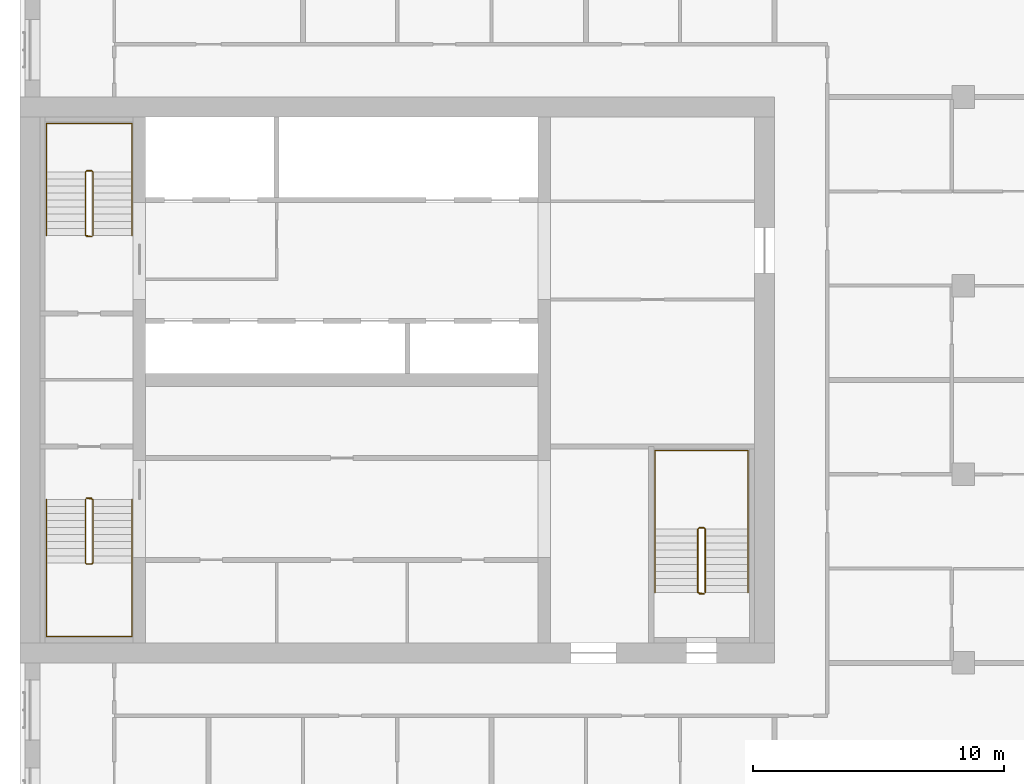
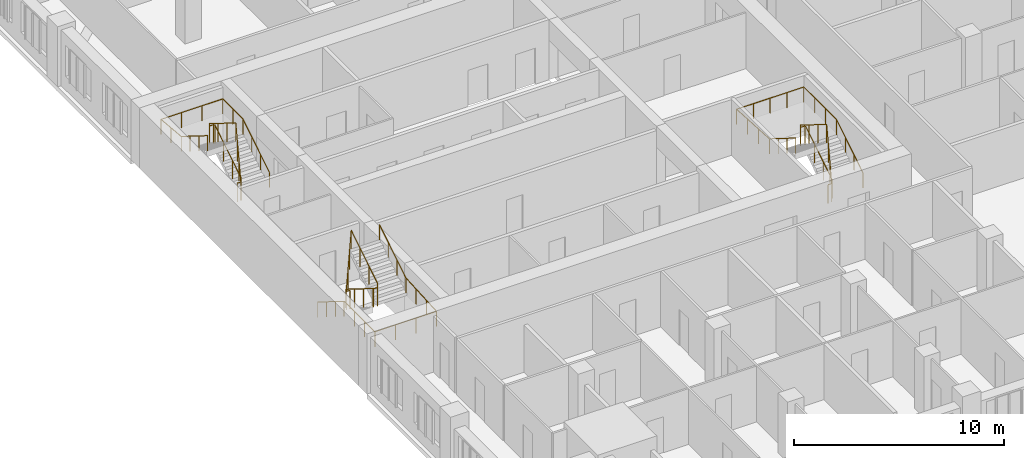
# One storey, part 14 of 14: 6 railings.
"""IFC4 building model written with IfcOpenShell, lengths in metres."""

import ifcopenshell
import ifcopenshell.guid

model = None  # the IFC model being written
_history = None  # IfcOwnerHistory: only IFC2X3 demands one
_inside = {}  # id of a spatial element -> (the spatial element, [elements in it])
_under = {}  # id of a project, library or spatial element -> (it, [spatial elements below it])
_declared = {}  # id of a project -> (the project, [libraries it declares])
_typed = {}  # id of a type object -> (the type object, [elements of that type])
_made_of = {}  # id of a material, layer set ... -> (it, [elements and type objects made of it])


def new_model(schema):
    """Start an empty IFC model of exactly this schema.

    Asked for "IFC4X3", IfcOpenShell would pick the latest addendum, in which some entities
    have other attributes; the version numbers below select the first issue.
    IFC2X3 requires an IfcOwnerHistory on every rooted entity: one is made here for all.
    """
    global model, _history
    if schema == "IFC4X3":
        model = ifcopenshell.file(schema_version=(4, 3, 0, 0))
    else:
        model = ifcopenshell.file(schema=schema)
    _inside.clear()
    _under.clear()
    _declared.clear()
    _typed.clear()
    _made_of.clear()
    _history = None
    if model.schema == "IFC2X3":
        org = make("IfcOrganization", Name="unknown")
        user = make(
            "IfcPersonAndOrganization",
            ThePerson=make("IfcPerson", FamilyName="unknown"),
            TheOrganization=org,
        )
        app = make(
            "IfcApplication",
            ApplicationDeveloper=org,
            Version="unknown",
            ApplicationFullName="unknown",
            ApplicationIdentifier="unknown",
        )
        _history = make(
            "IfcOwnerHistory",
            OwningUser=user,
            OwningApplication=app,
            ChangeAction="ADDED",
            CreationDate=0,
        )
    return model


def make(cls, **values):
    """One entity of the class cls with the attributes given. An attribute that is None is left unset."""
    return model.create_entity(
        cls, **{name: value for name, value in values.items() if value is not None}
    )


def rooted(cls, **values):
    """An entity with a GlobalId (a new one), such as an element, a storey or a relation."""
    return make(cls, GlobalId=ifcopenshell.guid.new(), OwnerHistory=_history, **values)


def si_unit(unit_type, name, prefix=None):
    """IfcSIUnit, for example si_unit("LENGTHUNIT", "METRE", prefix="MILLI")."""
    return make("IfcSIUnit", UnitType=unit_type, Prefix=prefix, Name=name)


def assignment(units):
    """IfcUnitAssignment: the units of a project."""
    return None if units is None else make("IfcUnitAssignment", Units=units)


def point(xyz):
    """IfcCartesianPoint."""
    return None if xyz is None else make("IfcCartesianPoint", Coordinates=xyz)


def direction(xyz):
    """IfcDirection."""
    return None if xyz is None else make("IfcDirection", DirectionRatios=xyz)


def frame(location, z_axis=None, x_axis=None):
    """IfcAxis2Placement3D, a coordinate frame: its origin and axes. An axis left out is left unset."""
    return make(
        "IfcAxis2Placement3D",
        Location=point(location),
        Axis=direction(z_axis),
        RefDirection=direction(x_axis),
    )


def frame_2d(location, x_axis=None):
    """IfcAxis2Placement2D, a coordinate frame in the plane: its origin and x axis."""
    return make(
        "IfcAxis2Placement2D", Location=point(location), RefDirection=direction(x_axis)
    )


def origin():
    """The frame at (0, 0, 0) with its axes left unset."""
    return frame((0.0, 0.0, 0.0))


def origin_2d():
    """The frame at (0, 0) in the plane with its x axis left unset."""
    return frame_2d((0.0, 0.0))


def place(relative_to, where):
    """IfcLocalPlacement: puts the frame where relative to a parent placement (None: the world)."""
    return make(
        "IfcLocalPlacement", PlacementRelTo=relative_to, RelativePlacement=where
    )


def context(
    kind, dimensions, precision=None, world=None, true_north=None, identifier=None
):
    """IfcGeometricRepresentationContext, for example the 3D "Model" context."""
    return make(
        "IfcGeometricRepresentationContext",
        ContextIdentifier=identifier,
        ContextType=kind,
        CoordinateSpaceDimension=dimensions,
        Precision=precision,
        WorldCoordinateSystem=world,
        TrueNorth=true_north,
    )


def subcontext(parent, identifier, kind, view, scale=None):
    """IfcGeometricRepresentationSubContext, for example "Body" below "Model"."""
    return make(
        "IfcGeometricRepresentationSubContext",
        ContextIdentifier=identifier,
        ContextType=kind,
        ParentContext=parent,
        TargetScale=scale,
        TargetView=view,
    )


def project(units=None, contexts=None):
    """IfcProject with its units and contexts."""
    return rooted(
        "IfcProject",
        Name="project",
        RepresentationContexts=contexts,
        UnitsInContext=assignment(units),
    )


def spatial(cls, under=None, at=None, **own):
    """A site, building, storey or space (cls), placed at a placement, below another one or the project."""
    s = rooted(cls, ObjectPlacement=at, **own)
    if under is not None:
        _under.setdefault(under.id(), (under, []))[1].append(s)
    return s


def profile(cls, at=None, kind="AREA", **sizes):
    """A parametric profile (cls). Its sizes go by their IFC names, for example OverallWidth=200.0."""
    return make(cls, ProfileType=kind, Position=at, **sizes)


def circle(**sizes):
    """IfcCircleProfileDef."""
    return profile("IfcCircleProfileDef", **sizes)


def extrude(swept, where, along, depth):
    """IfcExtrudedAreaSolid: the profile swept, set in the frame where, extruded along a direction by depth."""
    return make(
        "IfcExtrudedAreaSolid",
        SweptArea=swept,
        Position=where,
        ExtrudedDirection=direction(along),
        Depth=depth,
    )


def shape(context_of_items, identifier, shape_type, items):
    """IfcShapeRepresentation: the items that make up one representation, for example the "Body"."""
    return make(
        "IfcShapeRepresentation",
        ContextOfItems=context_of_items,
        RepresentationIdentifier=identifier,
        RepresentationType=shape_type,
        Items=items,
    )


def material(Name=None, Category=None):
    """IfcMaterial."""
    return make("IfcMaterial", Name=Name, Category=Category)


def made_of(thing, what):
    """Note that an element or type object is made of a material, layer set ...; save() writes the relation."""
    if what is not None:
        _made_of.setdefault(what.id(), (what, []))[1].append(thing)
    return thing


def type_object(cls, material=None, **own):
    """A type object (cls), such as IfcWallType, which elements share."""
    return made_of(rooted(cls, **own), material)


def element(
    cls,
    number,
    at=None,
    inside=None,
    cuts=None,
    type_object=None,
    material=None,
    context=None,
    identifier="Body",
    shape_type=None,
    held_by="IfcProductDefinitionShape",
    body=None,
    shapes=None,
    **own,
):
    """One element of the class cls, such as IfcWall. Its Tag is "e" and its number.

    at: its placement. inside: the storey or other place that contains it. cuts: it is an
    opening in that element (IfcRelVoidsElement). A single representation is given by context,
    identifier, shape_type and body (its items); several are given by shapes. held_by: the class
    of the entity that holds the representations. save() writes the other relations.
    """
    e = rooted(cls, Tag="e%d" % number, ObjectPlacement=at, **own)
    if body is not None:
        shapes = [shape(context, identifier, shape_type, body)]
    if shapes is not None:
        e.Representation = make(held_by, Representations=shapes)
    if inside is not None:
        _inside.setdefault(inside.id(), (inside, []))[1].append(e)
    if cuts is not None:
        rooted(
            "IfcRelVoidsElement", RelatingBuildingElement=cuts, RelatedOpeningElement=e
        )
    if type_object is not None:
        _typed.setdefault(type_object.id(), (type_object, []))[1].append(e)
    return made_of(e, material)


def aggregate(whole, parts):
    """IfcRelAggregates: a whole, such as a stair, and the parts it consists of."""
    return rooted("IfcRelAggregates", RelatingObject=whole, RelatedObjects=parts)


def save(model, path):
    """Write the relations noted so far, then the file.

    IfcRelAggregates (storeys below a building ...), IfcRelContainedInSpatialStructure (elements
    in a storey), IfcRelDefinesByType, IfcRelAssociatesMaterial and IfcRelDeclares: one each for
    every whole, place, type object, material and project.
    """
    for whole, parts in _under.values():
        aggregate(whole, parts)
    for where, things in _inside.values():
        rooted(
            "IfcRelContainedInSpatialStructure",
            RelatedElements=things,
            RelatingStructure=where,
        )
    for kind, things in _typed.values():
        rooted("IfcRelDefinesByType", RelatedObjects=things, RelatingType=kind)
    for what, things in _made_of.values():
        rooted("IfcRelAssociatesMaterial", RelatedObjects=things, RelatingMaterial=what)
    for by, libraries in _declared.values():
        rooted("IfcRelDeclares", RelatingContext=by, RelatedDefinitions=libraries)
    model.write(path)


model = new_model("IFC4")

# Units and contexts
model_context = context("Model", 3, precision=1e-05, world=origin(), true_north=direction((0.0, 1.0)))
body_context = subcontext(model_context, "Body", "Model", "MODEL_VIEW")
ifc_project = project(units=[si_unit("LENGTHUNIT", "METRE"), si_unit("AREAUNIT", "SQUARE_METRE"), si_unit("VOLUMEUNIT", "CUBIC_METRE"), si_unit("PLANEANGLEUNIT", "RADIAN"), si_unit("MASSUNIT", "GRAM", prefix="KILO")], contexts=[model_context])

# Site, building, storey
site_placement = place(None, origin())
site = spatial("IfcSite", under=ifc_project, at=site_placement, CompositionType="ELEMENT")
building_placement = place(site_placement, origin())
building = spatial("IfcBuilding", under=site, at=building_placement, Name="Tamorin Gate", CompositionType="ELEMENT")
storey_placement = place(building_placement, frame((0.0, 0.0, 193.199951171875)))
storey = spatial("IfcBuildingStorey", under=building, at=storey_placement, Name="L47", CompositionType="ELEMENT", Elevation=193.199951171875)

# Railings
ifc_material_1 = material(Name="Painted steel balustrade", Category="steel")
railing_type_1 = type_object("IfcRailingType", Name="Stair guard 1100", PredefinedType="GUARDRAIL", material=ifc_material_1)
railing_1_placement = place(storey_placement, frame((32.60009765625, 66.5, 0.175048828125)))
element("IfcRailing", 1, at=railing_1_placement, inside=storey, type_object=railing_type_1, Name="L47 ST1 stair guard 1", PredefinedType="GUARDRAIL", context=body_context, shape_type="SweptSolid", body=[
    extrude(circle(Radius=0.02392578125, at=origin_2d()), frame((0.0, 0.0, 1.076171875), z_axis=(0.0, -0.848007534815, 0.529984170421), x_axis=(1.0, 0.0, 0.0)), (0.0, 0.0, 1.0), 2.9716796875),
    extrude(circle(Radius=0.02392578125, at=origin_2d()), frame((0.0, -2.52001953125, 2.65087890625), z_axis=(0.705375805398, -0.708833529934, 0.0), x_axis=(0.708833529934, 0.705375805398, 0.0)), (0.0, 0.0, 1.0), 0.070556640625),
    extrude(circle(Radius=0.02392578125, at=origin_2d()), frame((0.0498046875, -2.570068359375, 2.65087890625), z_axis=(1.0, 0.0, 0.0), x_axis=(0.0, 1.0, 0.0)), (0.0, 0.0, 1.0), 0.2001953125),
    extrude(circle(Radius=0.02392578125, at=origin_2d()), frame((0.25, -2.570068359375, 2.65087890625), z_axis=(0.263862480399, 0.265155923931, 0.927399011991), x_axis=(-0.708833529934, 0.705375805398, 0.0)), (0.0, 0.0, 1.0), 0.188720703125),
    extrude(circle(Radius=0.02392578125, at=origin_2d()), frame((0.2998046875, -2.52001953125, 2.826171875), z_axis=(0.0, 0.848007534815, 0.529984170421), x_axis=(-1.0, 0.0, 0.0)), (0.0, 0.0, 1.0), 2.9716796875),
    extrude(circle(Radius=0.02392578125, at=origin_2d()), frame((0.2998046875, 0.0, 4.40087890625), z_axis=(-0.071239803756, 0.014261874775, -0.997357252587), x_axis=(-0.196300278283, -0.98054382908, 0.0)), (0.0, 0.0, 1.0), 3.50927734375),
    extrude(circle(Radius=0.02392578125, at=origin_2d()), frame((0.0498046875, 0.050048828125, 0.90087890625), z_axis=(1.0, 0.0, 0.0), x_axis=(0.0, 1.0, 0.0)), (0.0, 0.0, 1.0), 0.2001953125),
    extrude(circle(Radius=0.02099609375, at=origin_2d()), origin(), (0.0, 0.0, 1.0), 1.052001953125),
    extrude(circle(Radius=0.02099609375, at=origin_2d()), frame((0.0, -0.840087890625, 0.52490234375)), (0.0, 0.0, 1.0), 1.052001953125),
    extrude(circle(Radius=0.02099609375, at=origin_2d()), frame((0.0, -1.679931640625, 1.050048828125)), (0.0, 0.0, 1.0), 1.052001953125),
    extrude(circle(Radius=0.02099609375, at=origin_2d()), frame((0.0, -2.52001953125, 1.574951171875)), (0.0, 0.0, 1.0), 1.052001953125),
    extrude(circle(Radius=0.02099609375, at=origin_2d()), frame((0.0498046875, -2.570068359375, 1.574951171875)), (0.0, 0.0, 1.0), 1.052001953125),
    extrude(circle(Radius=0.02099609375, at=origin_2d()), frame((0.25, -2.570068359375, 1.574951171875)), (0.0, 0.0, 1.0), 1.052001953125),
    extrude(circle(Radius=0.02099609375, at=origin_2d()), frame((0.2998046875, -2.52001953125, 1.75)), (0.0, 0.0, 1.0), 1.052001953125),
    extrude(circle(Radius=0.02099609375, at=origin_2d()), frame((0.2998046875, -1.679931640625, 2.27490234375)), (0.0, 0.0, 1.0), 1.052001953125),
    extrude(circle(Radius=0.02099609375, at=origin_2d()), frame((0.2998046875, -0.840087890625, 2.800048828125)), (0.0, 0.0, 1.0), 1.052001953125),
    extrude(circle(Radius=0.02099609375, at=origin_2d()), frame((0.2998046875, 0.0, 3.324951171875)), (0.0, 0.0, 1.0), 1.052001953125),
    extrude(circle(Radius=0.02099609375, at=origin_2d()), frame((0.216552734375, 0.0166015625, 2.158203125)), (0.0, 0.0, 1.0), 1.052001953125),
    extrude(circle(Radius=0.02099609375, at=origin_2d()), frame((0.133056640625, 0.033447265625, 0.99169921875)), (0.0, 0.0, 1.0), 1.052001953125),
    extrude(circle(Radius=0.02099609375, at=origin_2d()), frame((0.0498046875, 0.050048828125, -0.175048828125)), (0.0, 0.0, 1.0), 1.052001953125),
    extrude(circle(Radius=0.02099609375, at=origin_2d()), frame((0.25, 0.050048828125, -0.175048828125)), (0.0, 0.0, 1.0), 1.052001953125),
])
railing_2_placement = place(storey_placement, frame((32.89990234375, 77.0, 0.175048828125)))
element("IfcRailing", 2, at=railing_2_placement, inside=storey, type_object=railing_type_1, Name="L47 ST2 stair guard 1", PredefinedType="GUARDRAIL", context=body_context, shape_type="SweptSolid", body=[
    extrude(circle(Radius=0.02392578125, at=origin_2d()), frame((0.0, 0.0, 1.076171875), z_axis=(0.0, 0.848007534815, 0.529984170421), x_axis=(-1.0, 0.0, 0.0)), (0.0, 0.0, 1.0), 2.9716796875),
    extrude(circle(Radius=0.02392578125, at=origin_2d()), frame((0.0, 2.52001953125, 2.65087890625), z_axis=(-0.705375805398, 0.708833529934, 0.0), x_axis=(-0.708833529934, -0.705375805398, 0.0)), (0.0, 0.0, 1.0), 0.070556640625),
    extrude(circle(Radius=0.02392578125, at=origin_2d()), frame((-0.0498046875, 2.570068359375, 2.65087890625), z_axis=(-1.0, 0.0, 0.0), x_axis=(0.0, -1.0, 0.0)), (0.0, 0.0, 1.0), 0.2001953125),
    extrude(circle(Radius=0.02392578125, at=origin_2d()), frame((-0.25, 2.570068359375, 2.65087890625), z_axis=(-0.263862480399, -0.265155923931, 0.927399011991), x_axis=(0.708833529934, -0.705375805398, 0.0)), (0.0, 0.0, 1.0), 0.188720703125),
    extrude(circle(Radius=0.02392578125, at=origin_2d()), frame((-0.2998046875, 2.52001953125, 2.826171875), z_axis=(0.0, -0.848007534815, 0.529984170421), x_axis=(1.0, 0.0, 0.0)), (0.0, 0.0, 1.0), 2.9716796875),
    extrude(circle(Radius=0.02392578125, at=origin_2d()), frame((-0.2998046875, 0.0, 4.40087890625), z_axis=(0.071239803756, -0.014261874775, -0.997357252587), x_axis=(0.196300278283, 0.98054382908, 0.0)), (0.0, 0.0, 1.0), 3.50927734375),
    extrude(circle(Radius=0.02392578125, at=origin_2d()), frame((-0.0498046875, -0.050048828125, 0.90087890625), z_axis=(-1.0, 0.0, 0.0), x_axis=(0.0, -1.0, 0.0)), (0.0, 0.0, 1.0), 0.2001953125),
    extrude(circle(Radius=0.02099609375, at=origin_2d()), origin(), (0.0, 0.0, 1.0), 1.052001953125),
    extrude(circle(Radius=0.02099609375, at=origin_2d()), frame((0.0, 0.840087890625, 0.52490234375)), (0.0, 0.0, 1.0), 1.052001953125),
    extrude(circle(Radius=0.02099609375, at=origin_2d()), frame((0.0, 1.679931640625, 1.050048828125)), (0.0, 0.0, 1.0), 1.052001953125),
    extrude(circle(Radius=0.02099609375, at=origin_2d()), frame((0.0, 2.52001953125, 1.574951171875)), (0.0, 0.0, 1.0), 1.052001953125),
    extrude(circle(Radius=0.02099609375, at=origin_2d()), frame((-0.0498046875, 2.570068359375, 1.574951171875)), (0.0, 0.0, 1.0), 1.052001953125),
    extrude(circle(Radius=0.02099609375, at=origin_2d()), frame((-0.25, 2.570068359375, 1.574951171875)), (0.0, 0.0, 1.0), 1.052001953125),
    extrude(circle(Radius=0.02099609375, at=origin_2d()), frame((-0.2998046875, 2.52001953125, 1.75)), (0.0, 0.0, 1.0), 1.052001953125),
    extrude(circle(Radius=0.02099609375, at=origin_2d()), frame((-0.2998046875, 1.679931640625, 2.27490234375)), (0.0, 0.0, 1.0), 1.052001953125),
    extrude(circle(Radius=0.02099609375, at=origin_2d()), frame((-0.2998046875, 0.840087890625, 2.800048828125)), (0.0, 0.0, 1.0), 1.052001953125),
    extrude(circle(Radius=0.02099609375, at=origin_2d()), frame((-0.2998046875, 0.0, 3.324951171875)), (0.0, 0.0, 1.0), 1.052001953125),
    extrude(circle(Radius=0.02099609375, at=origin_2d()), frame((-0.216552734375, -0.0166015625, 2.158203125)), (0.0, 0.0, 1.0), 1.052001953125),
    extrude(circle(Radius=0.02099609375, at=origin_2d()), frame((-0.133056640625, -0.033447265625, 0.99169921875)), (0.0, 0.0, 1.0), 1.052001953125),
    extrude(circle(Radius=0.02099609375, at=origin_2d()), frame((-0.0498046875, -0.050048828125, -0.175048828125)), (0.0, 0.0, 1.0), 1.052001953125),
    extrude(circle(Radius=0.02099609375, at=origin_2d()), frame((-0.25, -0.050048828125, -0.175048828125)), (0.0, 0.0, 1.0), 1.052001953125),
])
railing_3_placement = place(storey_placement, frame((57.25, 62.800048828125, 0.175048828125)))
element("IfcRailing", 3, at=railing_3_placement, inside=storey, type_object=railing_type_1, Name="L47 ST3 stair guard 1", PredefinedType="GUARDRAIL", context=body_context, shape_type="SweptSolid", body=[
    extrude(circle(Radius=0.02392578125, at=origin_2d()), frame((0.0, 0.0, 1.076171875), z_axis=(0.0, 0.848007534815, 0.529984170421), x_axis=(-1.0, 0.0, 0.0)), (0.0, 0.0, 1.0), 2.9716796875),
    extrude(circle(Radius=0.02392578125, at=origin_2d()), frame((0.0, 2.52001953125, 2.65087890625), z_axis=(-0.707106781187, 0.707106781187, 0.0), x_axis=(-0.707106781187, -0.707106781187, 0.0)), (0.0, 0.0, 1.0), 0.07080078125),
    extrude(circle(Radius=0.02392578125, at=origin_2d()), frame((-0.050048828125, 2.570068359375, 2.65087890625), z_axis=(-1.0, 0.0, 0.0), x_axis=(0.0, -1.0, 0.0)), (0.0, 0.0, 1.0), 0.199951171875),
    extrude(circle(Radius=0.02392578125, at=origin_2d()), frame((-0.25, 2.570068359375, 2.65087890625), z_axis=(-0.265065253269, -0.265065253269, 0.927081885822), x_axis=(0.707106781187, -0.707106781187, 0.0)), (0.0, 0.0, 1.0), 0.188720703125),
    extrude(circle(Radius=0.02392578125, at=origin_2d()), frame((-0.300048828125, 2.52001953125, 2.826171875), z_axis=(0.0, -0.848007534815, 0.529984170421), x_axis=(1.0, 0.0, 0.0)), (0.0, 0.0, 1.0), 2.9716796875),
    extrude(circle(Radius=0.02392578125, at=origin_2d()), frame((-0.300048828125, 0.0, 4.40087890625), z_axis=(0.071239803756, -0.014261874775, -0.997357252587), x_axis=(0.196300278283, 0.98054382908, 0.0)), (0.0, 0.0, 1.0), 3.50927734375),
    extrude(circle(Radius=0.02392578125, at=origin_2d()), frame((-0.050048828125, -0.050048828125, 0.90087890625), z_axis=(-1.0, 0.0, 0.0), x_axis=(0.0, -1.0, 0.0)), (0.0, 0.0, 1.0), 0.199951171875),
    extrude(circle(Radius=0.02099609375, at=origin_2d()), origin(), (0.0, 0.0, 1.0), 1.052001953125),
    extrude(circle(Radius=0.02099609375, at=origin_2d()), frame((0.0, 0.840087890625, 0.52490234375)), (0.0, 0.0, 1.0), 1.052001953125),
    extrude(circle(Radius=0.02099609375, at=origin_2d()), frame((0.0, 1.679931640625, 1.050048828125)), (0.0, 0.0, 1.0), 1.052001953125),
    extrude(circle(Radius=0.02099609375, at=origin_2d()), frame((0.0, 2.52001953125, 1.574951171875)), (0.0, 0.0, 1.0), 1.052001953125),
    extrude(circle(Radius=0.02099609375, at=origin_2d()), frame((-0.050048828125, 2.570068359375, 1.574951171875)), (0.0, 0.0, 1.0), 1.052001953125),
    extrude(circle(Radius=0.02099609375, at=origin_2d()), frame((-0.25, 2.570068359375, 1.574951171875)), (0.0, 0.0, 1.0), 1.052001953125),
    extrude(circle(Radius=0.02099609375, at=origin_2d()), frame((-0.300048828125, 2.52001953125, 1.75)), (0.0, 0.0, 1.0), 1.052001953125),
    extrude(circle(Radius=0.02099609375, at=origin_2d()), frame((-0.300048828125, 1.679931640625, 2.27490234375)), (0.0, 0.0, 1.0), 1.052001953125),
    extrude(circle(Radius=0.02099609375, at=origin_2d()), frame((-0.300048828125, 0.840087890625, 2.800048828125)), (0.0, 0.0, 1.0), 1.052001953125),
    extrude(circle(Radius=0.02099609375, at=origin_2d()), frame((-0.300048828125, 0.0, 3.324951171875)), (0.0, 0.0, 1.0), 1.052001953125),
    extrude(circle(Radius=0.02099609375, at=origin_2d()), frame((-0.216796875, -0.0166015625, 2.158203125)), (0.0, 0.0, 1.0), 1.052001953125),
    extrude(circle(Radius=0.02099609375, at=origin_2d()), frame((-0.13330078125, -0.033447265625, 0.99169921875)), (0.0, 0.0, 1.0), 1.052001953125),
    extrude(circle(Radius=0.02099609375, at=origin_2d()), frame((-0.050048828125, -0.050048828125, -0.175048828125)), (0.0, 0.0, 1.0), 1.052001953125),
    extrude(circle(Radius=0.02099609375, at=origin_2d()), frame((-0.25, -0.050048828125, -0.175048828125)), (0.0, 0.0, 1.0), 1.052001953125),
])
ifc_material_2 = material(Name="Painted steel handrail", Category="steel")
railing_type_2 = type_object("IfcRailingType", Name="Stair handrail 900", PredefinedType="HANDRAIL", material=ifc_material_2)
railing_4_placement = place(storey_placement, frame((31.050048828125, 66.5, 0.175048828125)))
element("IfcRailing", 4, at=railing_4_placement, inside=storey, type_object=railing_type_2, Name="L47 ST1 stair handrail 1", PredefinedType="HANDRAIL", context=body_context, shape_type="SweptSolid", body=[
    extrude(circle(Radius=0.02392578125, at=origin_2d()), frame((0.0, 0.0, 0.8759765625), z_axis=(0.0, -0.848007534815, 0.529984170421), x_axis=(1.0, 0.0, 0.0)), (0.0, 0.0, 1.0), 2.9716796875),
    extrude(circle(Radius=0.02392578125, at=origin_2d()), frame((0.0, -2.52001953125, 2.45068359375), z_axis=(0.0, -1.0, 0.0), x_axis=(1.0, 0.0, 0.0)), (0.0, 0.0, 1.0), 2.929931640625),
    extrude(circle(Radius=0.02392578125, at=origin_2d()), frame((0.0, -5.449951171875, 2.45068359375), z_axis=(1.0, 0.0, 0.0), x_axis=(0.0, 1.0, 0.0)), (0.0, 0.0, 1.0), 3.39990234375),
    extrude(circle(Radius=0.02392578125, at=origin_2d()), frame((3.39990234375, -5.449951171875, 2.45068359375), z_axis=(0.0, 0.998220029962, 0.0596386769), x_axis=(-1.0, 0.0, 0.0)), (0.0, 0.0, 1.0), 2.93505859375),
    extrude(circle(Radius=0.02392578125, at=origin_2d()), frame((3.39990234375, -2.52001953125, 2.6259765625), z_axis=(0.0, 0.848007534815, 0.529984170421), x_axis=(-1.0, 0.0, 0.0)), (0.0, 0.0, 1.0), 2.9716796875),
    extrude(circle(Radius=0.02099609375, at=origin_2d()), origin(), (0.0, 0.0, 1.0), 0.851806640625),
    extrude(circle(Radius=0.02099609375, at=origin_2d()), frame((0.0, -0.840087890625, 0.52490234375)), (0.0, 0.0, 1.0), 0.851806640625),
    extrude(circle(Radius=0.02099609375, at=origin_2d()), frame((0.0, -1.679931640625, 1.050048828125)), (0.0, 0.0, 1.0), 0.851806640625),
    extrude(circle(Radius=0.02099609375, at=origin_2d()), frame((0.0, -2.52001953125, 1.574951171875)), (0.0, 0.0, 1.0), 0.851806640625),
    extrude(circle(Radius=0.02099609375, at=origin_2d()), frame((0.0, -3.49658203125, 1.574951171875)), (0.0, 0.0, 1.0), 0.851806640625),
    extrude(circle(Radius=0.02099609375, at=origin_2d()), frame((0.0, -4.473388671875, 1.574951171875)), (0.0, 0.0, 1.0), 0.851806640625),
    extrude(circle(Radius=0.02099609375, at=origin_2d()), frame((0.0, -5.449951171875, 1.574951171875)), (0.0, 0.0, 1.0), 0.851806640625),
    extrude(circle(Radius=0.02099609375, at=origin_2d()), frame((1.13330078125, -5.449951171875, 1.574951171875)), (0.0, 0.0, 1.0), 0.851806640625),
    extrude(circle(Radius=0.02099609375, at=origin_2d()), frame((2.2666015625, -5.449951171875, 1.574951171875)), (0.0, 0.0, 1.0), 0.851806640625),
    extrude(circle(Radius=0.02099609375, at=origin_2d()), frame((3.39990234375, -5.449951171875, 1.574951171875)), (0.0, 0.0, 1.0), 0.851806640625),
    extrude(circle(Radius=0.02099609375, at=origin_2d()), frame((3.39990234375, -4.473388671875, 1.63330078125)), (0.0, 0.0, 1.0), 0.851806640625),
    extrude(circle(Radius=0.02099609375, at=origin_2d()), frame((3.39990234375, -3.49658203125, 1.691650390625)), (0.0, 0.0, 1.0), 0.851806640625),
    extrude(circle(Radius=0.02099609375, at=origin_2d()), frame((3.39990234375, -2.52001953125, 1.75)), (0.0, 0.0, 1.0), 0.851806640625),
    extrude(circle(Radius=0.02099609375, at=origin_2d()), frame((3.39990234375, -1.679931640625, 2.27490234375)), (0.0, 0.0, 1.0), 0.851806640625),
    extrude(circle(Radius=0.02099609375, at=origin_2d()), frame((3.39990234375, -0.840087890625, 2.800048828125)), (0.0, 0.0, 1.0), 0.851806640625),
    extrude(circle(Radius=0.02099609375, at=origin_2d()), frame((3.39990234375, 0.0, 3.324951171875)), (0.0, 0.0, 1.0), 0.851806640625),
])
railing_5_placement = place(storey_placement, frame((34.449951171875, 77.0, 0.175048828125)))
element("IfcRailing", 5, at=railing_5_placement, inside=storey, type_object=railing_type_2, Name="L47 ST2 stair handrail 1", PredefinedType="HANDRAIL", context=body_context, shape_type="SweptSolid", body=[
    extrude(circle(Radius=0.02392578125, at=origin_2d()), frame((0.0, 0.0, 0.8759765625), z_axis=(0.0, 0.848007534815, 0.529984170421), x_axis=(-1.0, 0.0, 0.0)), (0.0, 0.0, 1.0), 2.9716796875),
    extrude(circle(Radius=0.02392578125, at=origin_2d()), frame((0.0, 2.52001953125, 2.45068359375), z_axis=(0.0, 1.0, 0.0), x_axis=(-1.0, 0.0, 0.0)), (0.0, 0.0, 1.0), 1.929931640625),
    extrude(circle(Radius=0.02392578125, at=origin_2d()), frame((0.0, 4.449951171875, 2.45068359375), z_axis=(-1.0, 0.0, 0.0), x_axis=(0.0, -1.0, 0.0)), (0.0, 0.0, 1.0), 3.39990234375),
    extrude(circle(Radius=0.02392578125, at=origin_2d()), frame((-3.39990234375, 4.449951171875, 2.45068359375), z_axis=(0.0, -0.995911773435, 0.090331276604), x_axis=(1.0, 0.0, 0.0)), (0.0, 0.0, 1.0), 1.937744140625),
    extrude(circle(Radius=0.02392578125, at=origin_2d()), frame((-3.39990234375, 2.52001953125, 2.6259765625), z_axis=(0.0, -0.848007534815, 0.529984170421), x_axis=(1.0, 0.0, 0.0)), (0.0, 0.0, 1.0), 2.9716796875),
    extrude(circle(Radius=0.02099609375, at=origin_2d()), origin(), (0.0, 0.0, 1.0), 0.851806640625),
    extrude(circle(Radius=0.02099609375, at=origin_2d()), frame((0.0, 0.840087890625, 0.52490234375)), (0.0, 0.0, 1.0), 0.851806640625),
    extrude(circle(Radius=0.02099609375, at=origin_2d()), frame((0.0, 1.679931640625, 1.050048828125)), (0.0, 0.0, 1.0), 0.851806640625),
    extrude(circle(Radius=0.02099609375, at=origin_2d()), frame((0.0, 2.52001953125, 1.574951171875)), (0.0, 0.0, 1.0), 0.851806640625),
    extrude(circle(Radius=0.02099609375, at=origin_2d()), frame((0.0, 3.48486328125, 1.574951171875)), (0.0, 0.0, 1.0), 0.851806640625),
    extrude(circle(Radius=0.02099609375, at=origin_2d()), frame((0.0, 4.449951171875, 1.574951171875)), (0.0, 0.0, 1.0), 0.851806640625),
    extrude(circle(Radius=0.02099609375, at=origin_2d()), frame((-1.13330078125, 4.449951171875, 1.574951171875)), (0.0, 0.0, 1.0), 0.851806640625),
    extrude(circle(Radius=0.02099609375, at=origin_2d()), frame((-2.2666015625, 4.449951171875, 1.574951171875)), (0.0, 0.0, 1.0), 0.851806640625),
    extrude(circle(Radius=0.02099609375, at=origin_2d()), frame((-3.39990234375, 4.449951171875, 1.574951171875)), (0.0, 0.0, 1.0), 0.851806640625),
    extrude(circle(Radius=0.02099609375, at=origin_2d()), frame((-3.39990234375, 3.48486328125, 1.66259765625)), (0.0, 0.0, 1.0), 0.851806640625),
    extrude(circle(Radius=0.02099609375, at=origin_2d()), frame((-3.39990234375, 2.52001953125, 1.75)), (0.0, 0.0, 1.0), 0.851806640625),
    extrude(circle(Radius=0.02099609375, at=origin_2d()), frame((-3.39990234375, 1.679931640625, 2.27490234375)), (0.0, 0.0, 1.0), 0.851806640625),
    extrude(circle(Radius=0.02099609375, at=origin_2d()), frame((-3.39990234375, 0.840087890625, 2.800048828125)), (0.0, 0.0, 1.0), 0.851806640625),
    extrude(circle(Radius=0.02099609375, at=origin_2d()), frame((-3.39990234375, 0.0, 3.324951171875)), (0.0, 0.0, 1.0), 0.851806640625),
])
railing_6_placement = place(storey_placement, frame((58.949951171875, 62.800048828125, 0.175048828125)))
element("IfcRailing", 6, at=railing_6_placement, inside=storey, type_object=railing_type_2, Name="L47 ST3 stair handrail 1", PredefinedType="HANDRAIL", context=body_context, shape_type="SweptSolid", body=[
    extrude(circle(Radius=0.02392578125, at=origin_2d()), frame((0.0, 0.0, 0.8759765625), z_axis=(0.0, 0.848007534815, 0.529984170421), x_axis=(-1.0, 0.0, 0.0)), (0.0, 0.0, 1.0), 2.9716796875),
    extrude(circle(Radius=0.02392578125, at=origin_2d()), frame((0.0, 2.52001953125, 2.45068359375), z_axis=(0.0, 1.0, 0.0), x_axis=(-1.0, 0.0, 0.0)), (0.0, 0.0, 1.0), 3.1298828125),
    extrude(circle(Radius=0.02392578125, at=origin_2d()), frame((0.0, 5.64990234375, 2.45068359375), z_axis=(-1.0, 0.0, 0.0), x_axis=(0.0, -1.0, 0.0)), (0.0, 0.0, 1.0), 3.699951171875),
    extrude(circle(Radius=0.02392578125, at=origin_2d()), frame((-3.699951171875, 5.64990234375, 2.45068359375), z_axis=(0.0, -0.998439675676, 0.055840970941), x_axis=(1.0, 0.0, 0.0)), (0.0, 0.0, 1.0), 3.134765625),
    extrude(circle(Radius=0.02392578125, at=origin_2d()), frame((-3.699951171875, 2.52001953125, 2.6259765625), z_axis=(0.0, -0.848007534815, 0.529984170421), x_axis=(1.0, 0.0, 0.0)), (0.0, 0.0, 1.0), 2.9716796875),
    extrude(circle(Radius=0.02099609375, at=origin_2d()), origin(), (0.0, 0.0, 1.0), 0.851806640625),
    extrude(circle(Radius=0.02099609375, at=origin_2d()), frame((0.0, 0.840087890625, 0.52490234375)), (0.0, 0.0, 1.0), 0.851806640625),
    extrude(circle(Radius=0.02099609375, at=origin_2d()), frame((0.0, 1.679931640625, 1.050048828125)), (0.0, 0.0, 1.0), 0.851806640625),
    extrude(circle(Radius=0.02099609375, at=origin_2d()), frame((0.0, 2.52001953125, 1.574951171875)), (0.0, 0.0, 1.0), 0.851806640625),
    extrude(circle(Radius=0.02099609375, at=origin_2d()), frame((0.0, 3.563232421875, 1.574951171875)), (0.0, 0.0, 1.0), 0.851806640625),
    extrude(circle(Radius=0.02099609375, at=origin_2d()), frame((0.0, 4.606689453125, 1.574951171875)), (0.0, 0.0, 1.0), 0.851806640625),
    extrude(circle(Radius=0.02099609375, at=origin_2d()), frame((0.0, 5.64990234375, 1.574951171875)), (0.0, 0.0, 1.0), 0.851806640625),
    extrude(circle(Radius=0.02099609375, at=origin_2d()), frame((-0.925048828125, 5.64990234375, 1.574951171875)), (0.0, 0.0, 1.0), 0.851806640625),
    extrude(circle(Radius=0.02099609375, at=origin_2d()), frame((-1.85009765625, 5.64990234375, 1.574951171875)), (0.0, 0.0, 1.0), 0.851806640625),
    extrude(circle(Radius=0.02099609375, at=origin_2d()), frame((-2.77490234375, 5.64990234375, 1.574951171875)), (0.0, 0.0, 1.0), 0.851806640625),
    extrude(circle(Radius=0.02099609375, at=origin_2d()), frame((-3.699951171875, 5.64990234375, 1.574951171875)), (0.0, 0.0, 1.0), 0.851806640625),
    extrude(circle(Radius=0.02099609375, at=origin_2d()), frame((-3.699951171875, 4.606689453125, 1.63330078125)), (0.0, 0.0, 1.0), 0.851806640625),
    extrude(circle(Radius=0.02099609375, at=origin_2d()), frame((-3.699951171875, 3.563232421875, 1.691650390625)), (0.0, 0.0, 1.0), 0.851806640625),
    extrude(circle(Radius=0.02099609375, at=origin_2d()), frame((-3.699951171875, 2.52001953125, 1.75)), (0.0, 0.0, 1.0), 0.851806640625),
    extrude(circle(Radius=0.02099609375, at=origin_2d()), frame((-3.699951171875, 1.679931640625, 2.27490234375)), (0.0, 0.0, 1.0), 0.851806640625),
    extrude(circle(Radius=0.02099609375, at=origin_2d()), frame((-3.699951171875, 0.840087890625, 2.800048828125)), (0.0, 0.0, 1.0), 0.851806640625),
    extrude(circle(Radius=0.02099609375, at=origin_2d()), frame((-3.699951171875, 0.0, 3.324951171875)), (0.0, 0.0, 1.0), 0.851806640625),
])

save(model, "model.ifc")
